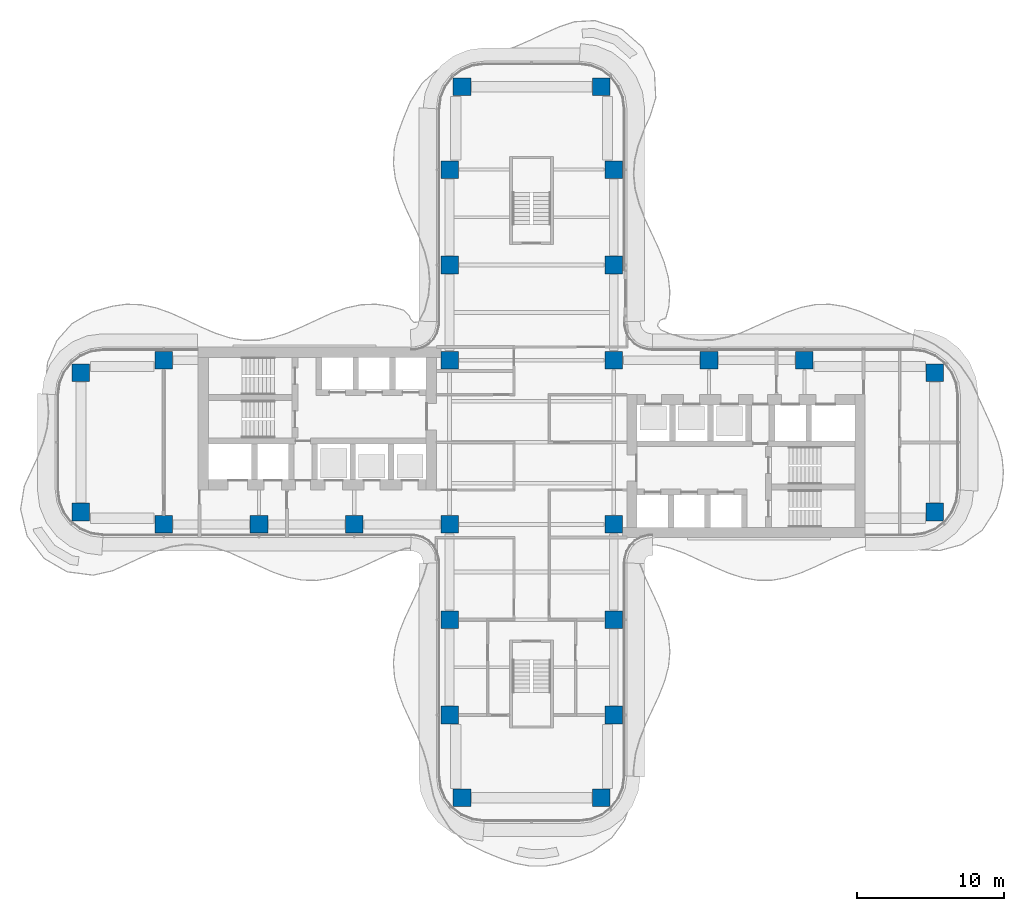
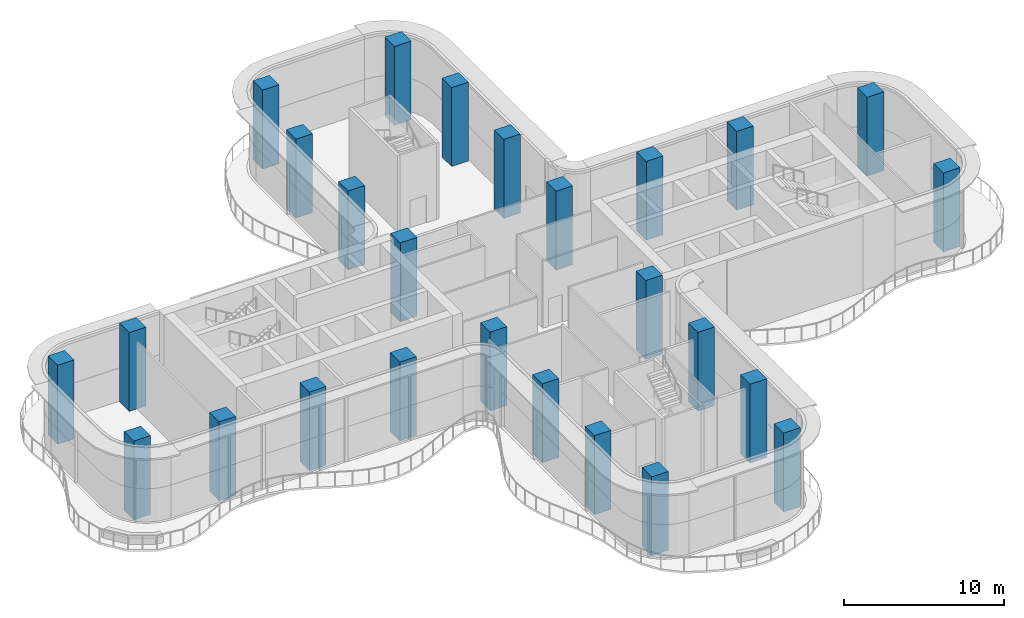
# One storey, part 1 of 19: 26 columns.
"""IFC4 building model written with IfcOpenShell, lengths in metres."""

from ifc_helpers import new_model, si_unit, direction, frame, origin, origin_2d, place, context, subcontext, project, spatial, rectangle, extrude, source, transform, mapped, material, material_profile, profile_set, type_object, element, save


model = new_model("IFC4")

# Units and contexts
model_context = context("Model", 3, precision=1e-05, world=origin(), true_north=direction((0.0, 1.0)))
body_context = subcontext(model_context, "Body", "Model", "MODEL_VIEW")
ifc_project = project(units=[si_unit("LENGTHUNIT", "METRE"), si_unit("AREAUNIT", "SQUARE_METRE"), si_unit("VOLUMEUNIT", "CUBIC_METRE"), si_unit("PLANEANGLEUNIT", "RADIAN"), si_unit("MASSUNIT", "GRAM", prefix="KILO")], contexts=[model_context])

# Site, building, storey
site_placement = place(None, origin())
site = spatial("IfcSite", under=ifc_project, at=site_placement, CompositionType="ELEMENT")
building_placement = place(site_placement, origin())
building = spatial("IfcBuilding", under=site, at=building_placement, Name="Trellis Farm Tower", CompositionType="ELEMENT")
storey_placement = place(building_placement, frame((0.0, 0.0, 156.0)))
storey = spatial("IfcBuildingStorey", under=building, at=storey_placement, Name="L33", CompositionType="ELEMENT", Elevation=156.0)

# Columns
ifc_material = material(Name="Concrete C70/85", Category="concrete")
ifc_material_profile = material_profile(ifc_material, rectangle(XDim=1.199951171875, YDim=1.199951171875, at=origin_2d()), Name="RC column 1200x1200 C70/85")
ifc_profile_set = profile_set([ifc_material_profile], Name="Concrete C70/85")
column_type = type_object("IfcColumnType", Name="RC column 1200x1200 C70/85", PredefinedType="COLUMN", material=ifc_profile_set)
shared_shape = source(origin(), body_context, "Body", "SweptSolid", [
    extrude(rectangle(XDim=1.199951171875, YDim=1.199951171875, at=origin_2d()), origin(), (0.0, 0.0, 1.0), 6.0),
])
for number, where, z_axis, x_axis, name in (
    (1, (12.10009765625, 5.60009765625, 0.0), (0.0, 0.0, 1.0), (1.0, 0.0, 0.0), "Column"),
    (2, (18.60009765625, 5.60009765625, 0.0), (0.0, 0.0, 1.0), (1.0, 0.0, 0.0), "Column"),
    (3, (27.5, 4.75, 0.0), (0.0, 0.0, 1.0), (1.0, 0.0, 0.0), "Column"),
    (4, (27.5, -4.75, 0.0), (0.0, 0.0, 1.0), (1.0, 0.0, 0.0), "Column"),
    (5, (-5.60009765625, 12.10009765625, 0.0), (0.0, 0.0, 1.0), (1.0, 0.0, 0.0), "Column"),
    (6, (-5.60009765625, 18.60009765625, 0.0), (0.0, 0.0, 1.0), (1.0, 0.0, 0.0), "Column"),
    (7, (-4.75, 24.25, 0.0), (0.0, 0.0, 1.0), (1.0, 0.0, 0.0), "Column"),
    (8, (5.60009765625, 12.10009765625, 0.0), (0.0, 0.0, 1.0), (1.0, 0.0, 0.0), "Column"),
    (9, (5.60009765625, 18.60009765625, 0.0), (0.0, 0.0, 1.0), (1.0, 0.0, 0.0), "Column"),
    (10, (4.75, 24.25, 0.0), (0.0, 0.0, 1.0), (1.0, 0.0, 0.0), "Column"),
    (11, (5.60009765625, 5.60009765625, 0.0), (0.0, 0.0, 1.0), (1.0, 0.0, 0.0), "Column"),
    (12, (-5.60009765625, 5.60009765625, 0.0), (0.0, 0.0, 1.0), (1.0, 0.0, 0.0), "Column"),
    (13, (5.60009765625, -5.60009765625, 0.0), (0.0, 0.0, 1.0), (1.0, 0.0, 0.0), "Column"),
    (14, (-5.60009765625, -5.60009765625, 0.0), (0.0, 0.0, 1.0), (1.0, 0.0, 0.0), "Column"),
    (15, (5.60009765625, -12.10009765625, 0.0), (0.0, 0.0, 1.0), (1.0, 0.0, 0.0), "Column"),
    (16, (5.60009765625, -18.60009765625, 0.0), (0.0, 0.0, 1.0), (1.0, 0.0, 0.0), "Column"),
    (17, (4.75, -24.25, 0.0), (0.0, 0.0, 1.0), (1.0, 0.0, 0.0), "Column"),
    (18, (-5.60009765625, -12.10009765625, 0.0), (0.0, 0.0, 1.0), (1.0, 0.0, 0.0), "Column"),
    (19, (-5.60009765625, -18.60009765625, 0.0), (0.0, 0.0, 1.0), (1.0, 0.0, 0.0), "Column"),
    (20, (-4.75, -24.25, 0.0), (0.0, 0.0, 1.0), (1.0, 0.0, 0.0), "Column"),
    (21, (-12.10009765625, -5.60009765625, 0.0), (0.0, 0.0, 1.0), (1.0, 0.0, 0.0), "Column"),
    (22, (-18.60009765625, -5.60009765625, 0.0), (0.0, 0.0, 1.0), (1.0, 0.0, 0.0), "Column"),
    (23, (-25.10009765625, -5.60009765625, 0.0), (0.0, 0.0, 1.0), (1.0, 0.0, 0.0), "Column"),
    (24, (-30.75, -4.75, 0.0), (0.0, 0.0, 1.0), (1.0, 0.0, 0.0), "Column"),
    (25, (-25.10009765625, 5.60009765625, 0.0), (0.0, 0.0, 1.0), (1.0, 0.0, 0.0), "Column"),
    (26, (-30.75, 4.75, 0.0), (0.0, 0.0, 1.0), (1.0, 0.0, 0.0), "Column"),
):
    element("IfcColumn", number, at=place(storey_placement, frame(where, z_axis=z_axis, x_axis=x_axis)), inside=storey, type_object=column_type, Name=name, PredefinedType="COLUMN", context=body_context, shape_type="MappedRepresentation", body=[
        mapped(shared_shape, transform((0.0, 0.0, 0.0))),
    ])

save(model, "model.ifc")
